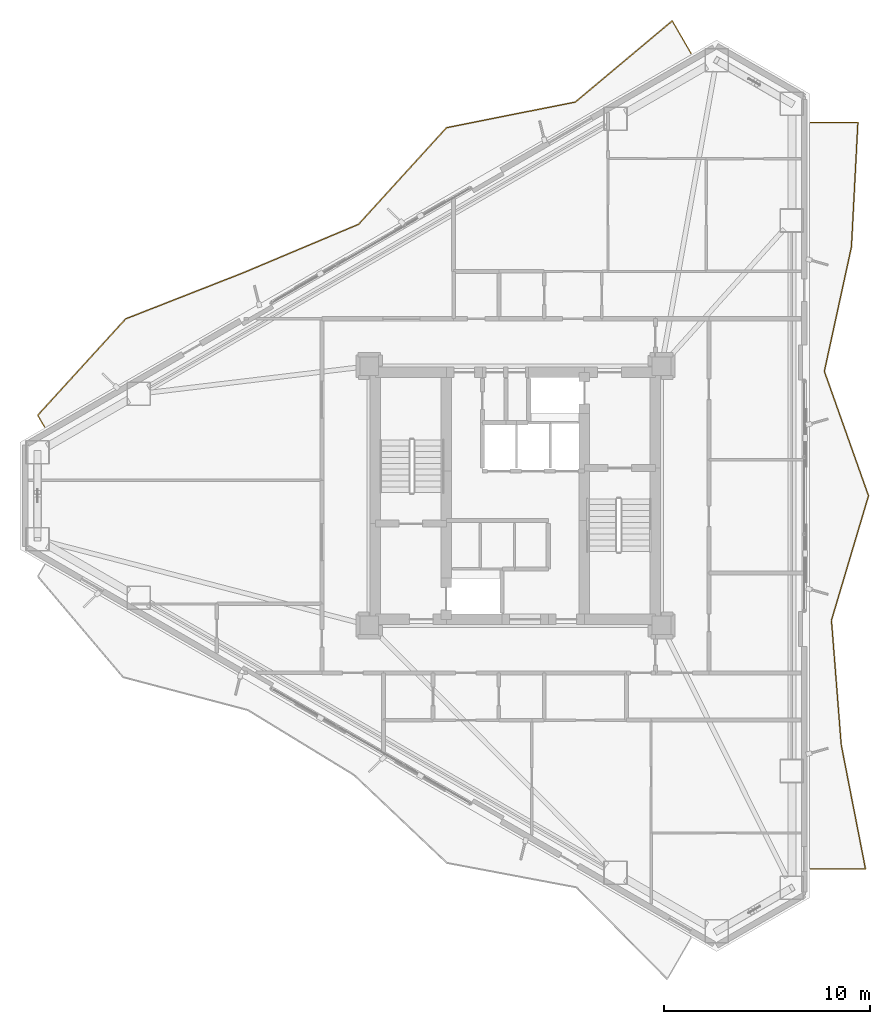
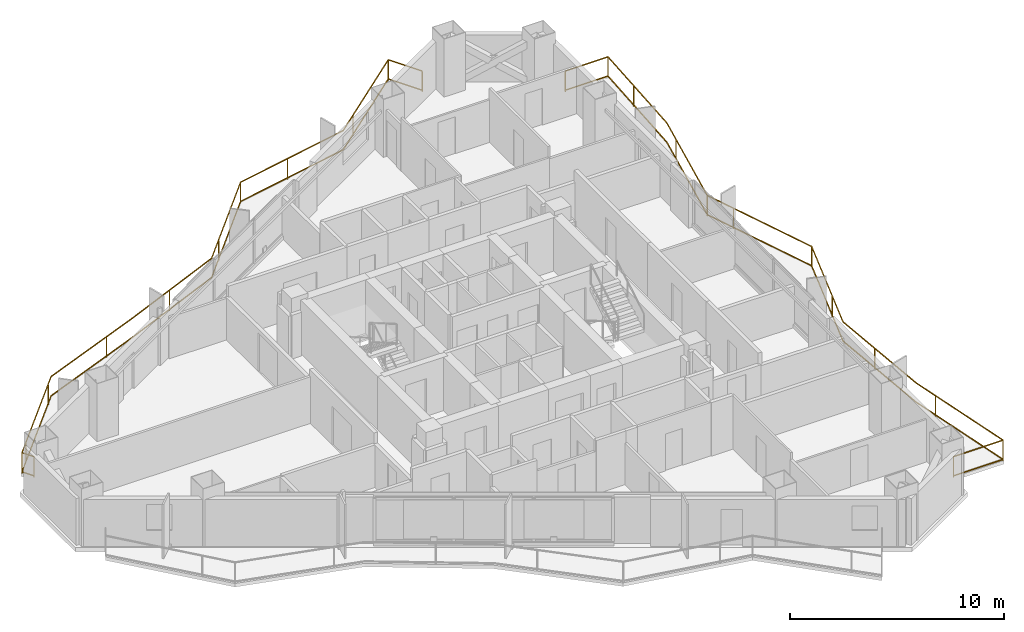
# One storey, part 22 of 22: 2 railings.
"""IFC4 building model written with IfcOpenShell, lengths in metres."""

from ifc_helpers import new_model, si_unit, direction, frame, origin, origin_2d, place, context, subcontext, project, spatial, rectangle, extrude, material, type_object, element, save


model = new_model("IFC4")

# Units and contexts
model_context = context("Model", 3, precision=1e-05, world=origin(), true_north=direction((0.0, 1.0)))
body_context = subcontext(model_context, "Body", "Model", "MODEL_VIEW")
ifc_project = project(units=[si_unit("LENGTHUNIT", "METRE"), si_unit("AREAUNIT", "SQUARE_METRE"), si_unit("VOLUMEUNIT", "CUBIC_METRE"), si_unit("PLANEANGLEUNIT", "RADIAN"), si_unit("MASSUNIT", "GRAM", prefix="KILO")], contexts=[model_context])

# Site, building, storey
site_placement = place(None, origin())
site = spatial("IfcSite", under=ifc_project, at=site_placement, CompositionType="ELEMENT")
building_placement = place(site_placement, origin())
building = spatial("IfcBuilding", under=site, at=building_placement, Name="Mersakhor Tower and Convention Hall", CompositionType="ELEMENT")
storey_placement = place(building_placement, frame((0.0, 0.0, 83.39990234375)))
storey = spatial("IfcBuildingStorey", under=building, at=storey_placement, Name="L22", CompositionType="ELEMENT", Elevation=83.39990234375)

# Railings
ifc_material = material(Name="Powder-coated galvanised steel and laminated glass balustrade", Category="steel")
railing_type = type_object("IfcRailingType", Name="RL-BAL-1200", PredefinedType="BALUSTRADE", material=ifc_material)
railing_1_placement = place(storey_placement, frame((37.541259765625, 48.2333984375, 0.0)))
element("IfcRailing", 1, at=railing_1_placement, inside=storey, type_object=railing_type, Name="L22 Sinusoidal Balcony Balustrade F1", PredefinedType="BALUSTRADE", context=body_context, shape_type="SweptSolid", body=[
    extrude(rectangle(XDim=0.048095703125, YDim=0.048095703125, at=origin_2d()), frame((0.0, 0.0, 1.17578125), z_axis=(-0.499995531332, 0.866027983755, 0.0), x_axis=(-0.866027983755, -0.499995531332, 0.0)), (0.0, 0.0, 1.0), 1.83154296875),
    extrude(rectangle(XDim=0.048095703125, YDim=0.048095703125, at=origin_2d()), frame((0.0, 0.0, 0.080078125), z_axis=(-0.499995531332, 0.866027983755, 0.0), x_axis=(-0.866027983755, -0.499995531332, 0.0)), (0.0, 0.0, 1.0), 1.83154296875),
    extrude(rectangle(XDim=0.048095703125, YDim=0.048095703125, at=origin_2d()), frame((-0.915771484375, 1.586181640625, 1.17578125), z_axis=(-0.766569161502, -0.642161755817, 0.0), x_axis=(0.642161755817, -0.766569161502, 0.0)), (0.0, 0.0, 1.0), 6.138427734375),
    extrude(rectangle(XDim=0.048095703125, YDim=0.048095703125, at=origin_2d()), frame((-0.915771484375, 1.586181640625, 0.080078125), z_axis=(-0.766569161502, -0.642161755817, 0.0), x_axis=(0.642161755817, -0.766569161502, 0.0)), (0.0, 0.0, 1.0), 6.138427734375),
    extrude(rectangle(XDim=0.048095703125, YDim=0.048095703125, at=origin_2d()), frame((-5.621337890625, -2.355712890625, 1.17578125), z_axis=(-0.98069816474, -0.195527772132, 0.0), x_axis=(0.195527772132, -0.98069816474, 0.0)), (0.0, 0.0, 1.0), 6.38427734375),
    extrude(rectangle(XDim=0.048095703125, YDim=0.048095703125, at=origin_2d()), frame((-5.621337890625, -2.355712890625, 0.080078125), z_axis=(-0.98069816474, -0.195527772132, 0.0), x_axis=(0.195527772132, -0.98069816474, 0.0)), (0.0, 0.0, 1.0), 6.38427734375),
    extrude(rectangle(XDim=0.048095703125, YDim=0.048095703125, at=origin_2d()), frame((-11.88232421875, -3.60400390625, 1.17578125), z_axis=(-0.67320686299, -0.739454203871, 0.0), x_axis=(0.739454203871, -0.67320686299, 0.0)), (0.0, 0.0, 1.0), 6.345947265625),
    extrude(rectangle(XDim=0.048095703125, YDim=0.048095703125, at=origin_2d()), frame((-11.88232421875, -3.60400390625, 0.080078125), z_axis=(-0.67320686299, -0.739454203871, 0.0), x_axis=(0.739454203871, -0.67320686299, 0.0)), (0.0, 0.0, 1.0), 6.345947265625),
    extrude(rectangle(XDim=0.048095703125, YDim=0.048095703125, at=origin_2d()), frame((-16.154541015625, -8.296630859375, 1.17578125), z_axis=(-0.921868218701, -0.387503532048, 0.0), x_axis=(0.387503532048, -0.921868218701, 0.0)), (0.0, 0.0, 1.0), 6.09423828125),
    extrude(rectangle(XDim=0.048095703125, YDim=0.048095703125, at=origin_2d()), frame((-16.154541015625, -8.296630859375, 0.080078125), z_axis=(-0.921868218701, -0.387503532048, 0.0), x_axis=(0.387503532048, -0.921868218701, 0.0)), (0.0, 0.0, 1.0), 6.09423828125),
    extrude(rectangle(XDim=0.048095703125, YDim=0.048095703125, at=origin_2d()), frame((-21.772705078125, -10.658203125, 1.17578125), z_axis=(-0.931093676264, -0.364780161222, 0.0), x_axis=(0.364780161222, -0.931093676264, 0.0)), (0.0, 0.0, 1.0), 6.115234375),
    extrude(rectangle(XDim=0.048095703125, YDim=0.048095703125, at=origin_2d()), frame((-21.772705078125, -10.658203125, 0.080078125), z_axis=(-0.931093676264, -0.364780161222, 0.0), x_axis=(0.364780161222, -0.931093676264, 0.0)), (0.0, 0.0, 1.0), 6.115234375),
    extrude(rectangle(XDim=0.048095703125, YDim=0.048095703125, at=origin_2d()), frame((-27.466552734375, -12.888916015625, 1.17578125), z_axis=(-0.673960882084, -0.738767033253, 0.0), x_axis=(0.738767033253, -0.673960882084, 0.0)), (0.0, 0.0, 1.0), 6.343994140625),
    extrude(rectangle(XDim=0.048095703125, YDim=0.048095703125, at=origin_2d()), frame((-27.466552734375, -12.888916015625, 0.080078125), z_axis=(-0.673960882084, -0.738767033253, 0.0), x_axis=(0.738767033253, -0.673960882084, 0.0)), (0.0, 0.0, 1.0), 6.343994140625),
    extrude(rectangle(XDim=0.048095703125, YDim=0.048095703125, at=origin_2d()), frame((-31.7421875, -17.57568359375, 1.17578125), z_axis=(0.49989585183, -0.866085525409, 0.0), x_axis=(0.866085525409, 0.49989585183, 0.0)), (0.0, 0.0, 1.0), 0.650146484375),
    extrude(rectangle(XDim=0.048095703125, YDim=0.048095703125, at=origin_2d()), frame((-31.7421875, -17.57568359375, 0.080078125), z_axis=(0.49989585183, -0.866085525409, 0.0), x_axis=(0.866085525409, 0.49989585183, 0.0)), (0.0, 0.0, 1.0), 0.650146484375),
    extrude(rectangle(XDim=0.0419921875, YDim=0.0419921875, at=origin_2d()), origin(), (0.0, 0.0, 1.0), 1.15185546875),
    extrude(rectangle(XDim=0.0419921875, YDim=0.0419921875, at=origin_2d()), frame((-0.915771484375, 1.586181640625, 0.0)), (0.0, 0.0, 1.0), 1.15185546875),
    extrude(rectangle(XDim=0.0419921875, YDim=0.0419921875, at=origin_2d()), frame((-4.59521484375, -1.49609375, 0.0)), (0.0, 0.0, 1.0), 1.15185546875),
    extrude(rectangle(XDim=0.0419921875, YDim=0.0419921875, at=origin_2d()), frame((-9.01611328125, -3.032470703125, 0.0)), (0.0, 0.0, 1.0), 1.15185546875),
    extrude(rectangle(XDim=0.0419921875, YDim=0.0419921875, at=origin_2d()), frame((-11.88232421875, -3.60400390625, 0.0)), (0.0, 0.0, 1.0), 1.15185546875),
    extrude(rectangle(XDim=0.0419921875, YDim=0.0419921875, at=origin_2d()), frame((-15.11376953125, -7.1533203125, 0.0)), (0.0, 0.0, 1.0), 1.15185546875),
    extrude(rectangle(XDim=0.0419921875, YDim=0.0419921875, at=origin_2d()), frame((-19.154296875, -9.5576171875, 0.0)), (0.0, 0.0, 1.0), 1.15185546875),
    extrude(rectangle(XDim=0.0419921875, YDim=0.0419921875, at=origin_2d()), frame((-23.59716796875, -11.373046875, 0.0)), (0.0, 0.0, 1.0), 1.15185546875),
    extrude(rectangle(XDim=0.0419921875, YDim=0.0419921875, at=origin_2d()), frame((-27.90087890625, -13.364990234375, 0.0)), (0.0, 0.0, 1.0), 1.15185546875),
    extrude(rectangle(XDim=0.0419921875, YDim=0.0419921875, at=origin_2d()), frame((-31.1357421875, -16.9111328125, 0.0)), (0.0, 0.0, 1.0), 1.15185546875),
    extrude(rectangle(XDim=0.0419921875, YDim=0.0419921875, at=origin_2d()), frame((-31.7421875, -17.57568359375, 0.0)), (0.0, 0.0, 1.0), 1.15185546875),
    extrude(rectangle(XDim=0.0419921875, YDim=0.0419921875, at=origin_2d()), frame((-31.417236328125, -18.138671875, 0.0)), (0.0, 0.0, 1.0), 1.15185546875),
])
railing_2_placement = place(storey_placement, frame((43.334716796875, 8.611328125, 0.0)))
element("IfcRailing", 2, at=railing_2_placement, inside=storey, type_object=railing_type, Name="L22 Sinusoidal Balcony Balustrade F2", PredefinedType="BALUSTRADE", context=body_context, shape_type="SweptSolid", body=[
    extrude(rectangle(XDim=0.048095703125, YDim=0.048095703125, at=origin_2d()), frame((0.0, 0.0, 1.17578125), z_axis=(1.0, 0.0, 0.0), x_axis=(0.0, 1.0, 0.0)), (0.0, 0.0, 1.0), 2.67578125),
    extrude(rectangle(XDim=0.048095703125, YDim=0.048095703125, at=origin_2d()), frame((0.0, 0.0, 0.080078125), z_axis=(1.0, 0.0, 0.0), x_axis=(0.0, 1.0, 0.0)), (0.0, 0.0, 1.0), 2.67578125),
    extrude(rectangle(XDim=0.048095703125, YDim=0.048095703125, at=origin_2d()), frame((2.67578125, 0.0, 1.17578125), z_axis=(-0.191846483694, 0.981424947051, 0.0), x_axis=(-0.981424947051, -0.191846483694, 0.0)), (0.0, 0.0, 1.0), 6.16064453125),
    extrude(rectangle(XDim=0.048095703125, YDim=0.048095703125, at=origin_2d()), frame((2.67578125, 0.0, 0.080078125), z_axis=(-0.191846483694, 0.981424947051, 0.0), x_axis=(-0.981424947051, -0.191846483694, 0.0)), (0.0, 0.0, 1.0), 6.16064453125),
    extrude(rectangle(XDim=0.048095703125, YDim=0.048095703125, at=origin_2d()), frame((1.493896484375, 6.046142578125, 1.17578125), z_axis=(-0.078053960037, 0.996949135775, 0.0), x_axis=(-0.996949135775, -0.078053960037, 0.0)), (0.0, 0.0, 1.0), 6.06494140625),
    extrude(rectangle(XDim=0.048095703125, YDim=0.048095703125, at=origin_2d()), frame((1.493896484375, 6.046142578125, 0.080078125), z_axis=(-0.078053960037, 0.996949135775, 0.0), x_axis=(-0.996949135775, -0.078053960037, 0.0)), (0.0, 0.0, 1.0), 6.06494140625),
    extrude(rectangle(XDim=0.048095703125, YDim=0.048095703125, at=origin_2d()), frame((1.0205078125, 12.092529296875, 1.17578125), z_axis=(0.285234548503, 0.958457746768, 0.0), x_axis=(-0.958457746768, 0.285234548503, 0.0)), (0.0, 0.0, 1.0), 6.30810546875),
    extrude(rectangle(XDim=0.048095703125, YDim=0.048095703125, at=origin_2d()), frame((1.0205078125, 12.092529296875, 0.080078125), z_axis=(0.285234548503, 0.958457746768, 0.0), x_axis=(-0.958457746768, 0.285234548503, 0.0)), (0.0, 0.0, 1.0), 6.30810546875),
    extrude(rectangle(XDim=0.048095703125, YDim=0.048095703125, at=origin_2d()), frame((2.81982421875, 18.138671875, 1.17578125), z_axis=(-0.334356419086, 0.942446701419, 0.0), x_axis=(-0.942446701419, -0.334356419086, 0.0)), (0.0, 0.0, 1.0), 6.415283203125),
    extrude(rectangle(XDim=0.048095703125, YDim=0.048095703125, at=origin_2d()), frame((2.81982421875, 18.138671875, 0.080078125), z_axis=(-0.334356419086, 0.942446701419, 0.0), x_axis=(-0.942446701419, -0.334356419086, 0.0)), (0.0, 0.0, 1.0), 6.415283203125),
    extrude(rectangle(XDim=0.048095703125, YDim=0.048095703125, at=origin_2d()), frame((0.6748046875, 24.184814453125, 1.17578125), z_axis=(0.212809630715, 0.977093680808, 0.0), x_axis=(-0.977093680808, 0.212809630715, 0.0)), (0.0, 0.0, 1.0), 6.188232421875),
    extrude(rectangle(XDim=0.048095703125, YDim=0.048095703125, at=origin_2d()), frame((0.6748046875, 24.184814453125, 0.080078125), z_axis=(0.212809630715, 0.977093680808, 0.0), x_axis=(-0.977093680808, 0.212809630715, 0.0)), (0.0, 0.0, 1.0), 6.188232421875),
    extrude(rectangle(XDim=0.048095703125, YDim=0.048095703125, at=origin_2d()), frame((1.99169921875, 30.231201171875, 1.17578125), z_axis=(0.051737601267, 0.998660713463, 0.0), x_axis=(-0.998660713463, 0.051737601267, 0.0)), (0.0, 0.0, 1.0), 6.05419921875),
    extrude(rectangle(XDim=0.048095703125, YDim=0.048095703125, at=origin_2d()), frame((1.99169921875, 30.231201171875, 0.080078125), z_axis=(0.051737601267, 0.998660713463, 0.0), x_axis=(-0.998660713463, 0.051737601267, 0.0)), (0.0, 0.0, 1.0), 6.05419921875),
    extrude(rectangle(XDim=0.048095703125, YDim=0.048095703125, at=origin_2d()), frame((2.304931640625, 36.27734375, 1.17578125), z_axis=(-1.0, 0.0, 0.0), x_axis=(0.0, -1.0, 0.0)), (0.0, 0.0, 1.0), 2.304931640625),
    extrude(rectangle(XDim=0.048095703125, YDim=0.048095703125, at=origin_2d()), frame((2.304931640625, 36.27734375, 0.080078125), z_axis=(-1.0, 0.0, 0.0), x_axis=(0.0, -1.0, 0.0)), (0.0, 0.0, 1.0), 2.304931640625),
    extrude(rectangle(XDim=0.0419921875, YDim=0.0419921875, at=origin_2d()), origin(), (0.0, 0.0, 1.0), 1.15185546875),
    extrude(rectangle(XDim=0.0419921875, YDim=0.0419921875, at=origin_2d()), frame((2.67578125, 0.0, 0.0)), (0.0, 0.0, 1.0), 1.15185546875),
    extrude(rectangle(XDim=0.0419921875, YDim=0.0419921875, at=origin_2d()), frame((1.7548828125, 4.7109375, 0.0)), (0.0, 0.0, 1.0), 1.15185546875),
    extrude(rectangle(XDim=0.0419921875, YDim=0.0419921875, at=origin_2d()), frame((1.225341796875, 9.47509765625, 0.0)), (0.0, 0.0, 1.0), 1.15185546875),
    extrude(rectangle(XDim=0.0419921875, YDim=0.0419921875, at=origin_2d()), frame((1.640869140625, 14.1767578125, 0.0)), (0.0, 0.0, 1.0), 1.15185546875),
    extrude(rectangle(XDim=0.0419921875, YDim=0.0419921875, at=origin_2d()), frame((2.81982421875, 18.138671875, 0.0)), (0.0, 0.0, 1.0), 1.15185546875),
    extrude(rectangle(XDim=0.0419921875, YDim=0.0419921875, at=origin_2d()), frame((1.21484375, 22.662353515625, 0.0)), (0.0, 0.0, 1.0), 1.15185546875),
    extrude(rectangle(XDim=0.0419921875, YDim=0.0419921875, at=origin_2d()), frame((0.6748046875, 24.184814453125, 0.0)), (0.0, 0.0, 1.0), 1.15185546875),
    extrude(rectangle(XDim=0.0419921875, YDim=0.0419921875, at=origin_2d()), frame((1.6962890625, 28.874755859375, 0.0)), (0.0, 0.0, 1.0), 1.15185546875),
    extrude(rectangle(XDim=0.0419921875, YDim=0.0419921875, at=origin_2d()), frame((2.168212890625, 33.638427734375, 0.0)), (0.0, 0.0, 1.0), 1.15185546875),
    extrude(rectangle(XDim=0.0419921875, YDim=0.0419921875, at=origin_2d()), frame((2.304931640625, 36.27734375, 0.0)), (0.0, 0.0, 1.0), 1.15185546875),
    extrude(rectangle(XDim=0.0419921875, YDim=0.0419921875, at=origin_2d()), frame((0.0, 36.27734375, 0.0)), (0.0, 0.0, 1.0), 1.15185546875),
])

save(model, "model.ifc")
